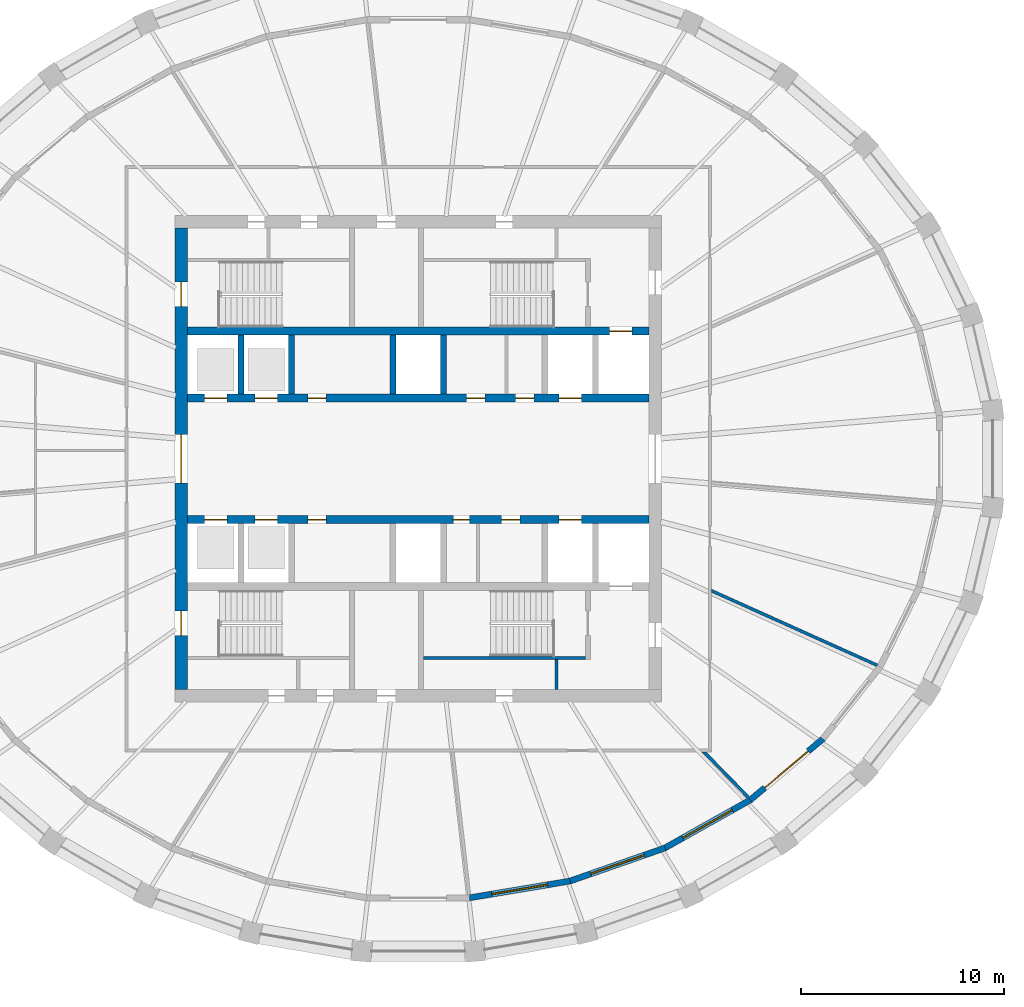
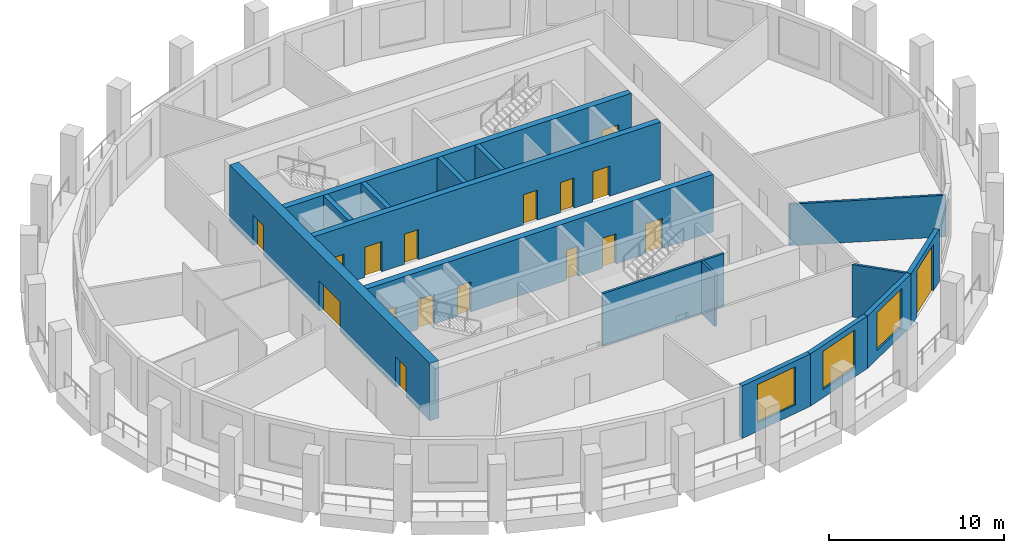
# One storey, part 4 of 10: 17 doors, 16 walls, 3 windows, 20 openings.
"""IFC4 building model written with IfcOpenShell, lengths in metres."""

from ifc_helpers import new_model, si_unit, direction, frame, frame_2d, origin, place, context, subcontext, project, spatial, polyline, rectangle, outline, extrude, material, layer, layer_set, type_object, element, fill, save


model = new_model("IFC4")

# Units and contexts
model_context = context("Model", 3, precision=1e-05, world=origin(), true_north=direction((0.0, 1.0)))
body_context = subcontext(model_context, "Body", "Model", "MODEL_VIEW")
ifc_project = project(units=[si_unit("LENGTHUNIT", "METRE"), si_unit("AREAUNIT", "SQUARE_METRE"), si_unit("VOLUMEUNIT", "CUBIC_METRE"), si_unit("PLANEANGLEUNIT", "RADIAN"), si_unit("MASSUNIT", "GRAM", prefix="KILO")], contexts=[model_context])

# Site, building, storey
site_placement = place(None, origin())
site = spatial("IfcSite", under=ifc_project, at=site_placement, CompositionType="ELEMENT")
building_placement = place(site_placement, origin())
building = spatial("IfcBuilding", under=site, at=building_placement, Name="Halqa Exchange Tower", CompositionType="ELEMENT")
storey_placement = place(building_placement, frame((0.0, 0.0, 324.300048828125)))
storey = spatial("IfcBuildingStorey", under=building, at=storey_placement, Name="L76", CompositionType="ELEMENT", Elevation=324.300048828125)

# Walls
ifc_material_1 = material(Name="Fire-rated gypsum board")
ifc_layer_1 = layer(ifc_material_1, 0.14990234375)
ifc_layer_set_1 = layer_set([ifc_layer_1], Name="Fire-rated gypsum board")
wall_type_1 = type_object("IfcWallType", Name="Fire partition EI 60 150", PredefinedType="PARTITIONING", material=ifc_layer_set_1)
wall_1_placement = place(storey_placement, frame((14.0625, -14.4228515625, 0.0), z_axis=(0.0, 0.0, 1.0), x_axis=(0.698596457998, -0.715515890021, 0.0)))
element("IfcWall", 1, at=wall_1_placement, inside=storey, type_object=wall_type_1, Name="L76-PWL-014", PredefinedType="PARTITIONING", context=body_context, shape_type="SweptSolid", body=[
    extrude(outline(polyline([(0.0, -0.074951171875), (1.594482421875, -0.074951171875), (3.18896484375, -0.074951171875), (3.18896484375, -0.07470703125), (3.18896484375, 0.074951171875), (1.66748046875, 0.074951171875), (0.14599609375, 0.074951171875), (0.0, -0.07470703125), (0.0, -0.074951171875)])), origin(), (0.0, 0.0, 1.0), 3.64990234375),
])
wall_2_placement = place(storey_placement, frame((14.444580078125, -6.5, 0.0), z_axis=(0.0, 0.0, 1.0), x_axis=(0.912043070278, -0.410094425662, 0.0)))
element("IfcWall", 2, at=wall_2_placement, inside=storey, type_object=wall_type_1, Name="L76-PWL-016", PredefinedType="PARTITIONING", context=body_context, shape_type="SweptSolid", body=[
    extrude(outline(polyline([(0.067138671875, -0.074951171875), (1.8525390625, -0.074951171875), (3.637939453125, -0.074951171875), (5.42333984375, -0.074951171875), (7.208740234375, -0.074951171875), (8.994140625, -0.074951171875), (9.013427734375, 0.000732421875), (9.015625, 0.066162109375), (9.015625, 0.074951171875), (7.21240234375, 0.074951171875), (5.409423828125, 0.074951171875), (3.606201171875, 0.074951171875), (1.80322265625, 0.074951171875), (0.0, 0.074951171875), (0.0, 0.07421875), (0.067138671875, -0.074951171875)])), origin(), (0.0, 0.0, 1.0), 2.89697265625),
])
ifc_material_2 = material(Name="Gypsum board")
ifc_layer_2 = layer(ifc_material_2, 0.14990234375)
ifc_layer_set_2 = layer_set([ifc_layer_2], Name="Gypsum board")
wall_type_2 = type_object("IfcWallType", Name="Penthouse riser wall 150 gypsum", PredefinedType="PARTITIONING", material=ifc_layer_set_2)
wall_3_placement = place(storey_placement, frame((6.824951171875, -11.39990234375, 0.0), z_axis=(0.0, 0.0, 1.0), x_axis=(0.0, 1.0, 0.0)))
element("IfcWall", 3, at=wall_3_placement, inside=storey, type_object=wall_type_2, Name="Firefighting lobby west wall S", PredefinedType="PARTITIONING", context=body_context, shape_type="SweptSolid", body=[
    extrude(rectangle(XDim=1.5, YDim=0.14990234375, at=frame_2d((0.75, 0.0))), origin(), (0.0, 0.0, 1.0), 3.64990234375),
])
ifc_material_3 = material(Name="Concrete C60/75", Category="concrete")
ifc_layer_3 = layer(ifc_material_3, 0.300048828125)
ifc_layer_set_3 = layer_set([ifc_layer_3], Name="Concrete C60/75")
wall_type_3 = type_object("IfcWallType", Name="RC core wall 300", PredefinedType="SHEAR", material=ifc_layer_set_3)
for number, where, z_axis, x_axis, name in (
    (4, (-8.75, 3.199951171875, 0.0), (0.0, 0.0, 1.0), (0.0, 1.0, 0.0), "Shaft divider N1"),
    (5, (-6.25, 3.199951171875, 0.0), (0.0, 0.0, 1.0), (0.0, 1.0, 0.0), "Shaft divider N2"),
    (6, (-1.25, 3.199951171875, 0.0), (0.0, 0.0, 1.0), (0.0, 1.0, 0.0), "Shaft divider N4"),
    (7, (1.25, 3.199951171875, 0.0), (0.0, 0.0, 1.0), (0.0, 1.0, 0.0), "Shaft divider N5"),
):
    element("IfcWall", number, at=place(storey_placement, frame(where, z_axis=z_axis, x_axis=x_axis)), inside=storey, type_object=wall_type_3, Name=name, PredefinedType="SHEAR", context=body_context, shape_type="SweptSolid", body=[
        extrude(rectangle(XDim=2.900146484375, YDim=0.300048828125, at=frame_2d((1.4501953125, 0.0))), origin(), (0.0, 0.0, 1.0), 4.0),
    ])

# Wall, openings, doors
ifc_layer_4 = layer(ifc_material_3, 0.39990234375)
ifc_layer_set_4 = layer_set([ifc_layer_4], Name="Concrete C60/75")
wall_type_4 = type_object("IfcWallType", Name="RC core wall 400 C60/75", PredefinedType="SHEAR", material=ifc_layer_set_4)
wall_4_placement = place(storey_placement, frame((-11.39990234375, 3.0, 0.0), z_axis=(0.0, 0.0, 1.0), x_axis=(1.0, 0.0, 0.0)))
wall_4 = element("IfcWall", 8, at=wall_4_placement, inside=storey, type_object=wall_type_4, Name="Lift row front wall N", PredefinedType="SHEAR", context=body_context, shape_type="SweptSolid", body=[
    extrude(rectangle(XDim=22.7998046875, YDim=0.39990234375, at=frame_2d((11.39990234375, 0.0))), origin(), (0.0, 0.0, 1.0), 4.0),
])
opening_1_placement = place(wall_4_placement, frame((0.85009765625, 0.0, 0.0)))
opening_1 = element("IfcOpeningElement", 9, at=opening_1_placement, cuts=wall_4, Name="Opening LD-HR1-T23", PredefinedType="OPENING", context=body_context, shape_type="SweptSolid", body=[
    extrude(rectangle(XDim=1.10009765625, YDim=2.10009765625, at=frame_2d((0.550048828125, 1.050048828125))), frame((0.0, 0.2119140625, 0.0), z_axis=(0.0, -1.0, 0.0), x_axis=(1.0, 0.0, 0.0)), (0.0, 0.0, 1.0), 0.423828125),
])
opening_2_placement = place(wall_4_placement, frame((3.35009765625, 0.0, 0.0)))
opening_2 = element("IfcOpeningElement", 10, at=opening_2_placement, cuts=wall_4, Name="Opening LD-HR2-T23", PredefinedType="OPENING", context=body_context, shape_type="SweptSolid", body=[
    extrude(rectangle(XDim=1.10009765625, YDim=2.10009765625, at=frame_2d((0.550048828125, 1.050048828125))), frame((0.0, 0.2119140625, 0.0), z_axis=(0.0, -1.0, 0.0), x_axis=(1.0, 0.0, 0.0)), (0.0, 0.0, 1.0), 0.423828125),
])
opening_3_placement = place(wall_4_placement, frame((18.35009765625, 0.0, 0.0)))
opening_3 = element("IfcOpeningElement", 11, at=opening_3_placement, cuts=wall_4, Name="Opening LD-SV1-T23", PredefinedType="OPENING", context=body_context, shape_type="SweptSolid", body=[
    extrude(rectangle(XDim=1.10009765625, YDim=2.10009765625, at=frame_2d((0.550048828125, 1.050048828125))), frame((0.0, 0.2119140625, 0.0), z_axis=(0.0, -1.0, 0.0), x_axis=(1.0, 0.0, 0.0)), (0.0, 0.0, 1.0), 0.423828125),
])
opening_4_placement = place(wall_4_placement, frame((13.78759765625, 0.0, 0.0)))
opening_4 = element("IfcOpeningElement", 12, at=opening_4_placement, cuts=wall_4, Name="Opening T23-C25", PredefinedType="OPENING", context=body_context, shape_type="SweptSolid", body=[
    extrude(rectangle(XDim=0.89990234375, YDim=2.10009765625, at=frame_2d((0.449951171875, 1.050048828125))), frame((0.0, 0.2119140625, 0.0), z_axis=(0.0, -1.0, 0.0), x_axis=(1.0, 0.0, 0.0)), (0.0, 0.0, 1.0), 0.423828125),
])
opening_5_placement = place(wall_4_placement, frame((16.21240234375, 0.0, 0.0)))
opening_5 = element("IfcOpeningElement", 13, at=opening_5_placement, cuts=wall_4, Name="Opening T23-C26", PredefinedType="OPENING", context=body_context, shape_type="SweptSolid", body=[
    extrude(rectangle(XDim=0.89990234375, YDim=2.10009765625, at=frame_2d((0.449951171875, 1.050048828125))), frame((0.0, 0.2119140625, 0.0), z_axis=(0.0, -1.0, 0.0), x_axis=(1.0, 0.0, 0.0)), (0.0, 0.0, 1.0), 0.423828125),
])
opening_6_placement = place(wall_4_placement, frame((5.949951171875, 0.0, 0.0)))
opening_6 = element("IfcOpeningElement", 14, at=opening_6_placement, cuts=wall_4, Name="Opening T23-C27", PredefinedType="OPENING", context=body_context, shape_type="SweptSolid", body=[
    extrude(rectangle(XDim=0.89990234375, YDim=2.10009765625, at=frame_2d((0.449951171875, 1.050048828125))), frame((0.0, 0.2119140625, 0.0), z_axis=(0.0, -1.0, 0.0), x_axis=(1.0, 0.0, 0.0)), (0.0, 0.0, 1.0), 0.423828125),
])
ifc_material_4 = material(Name="Timber fire door leaf", Category="wood")
door_type_1 = type_object("IfcDoorType", Name="Core room door FD30 900 x 2100", OperationType="SINGLE_SWING_LEFT", PredefinedType="DOOR", material=ifc_material_4)
door_1_placement = place(opening_4_placement, origin())
door_1 = element("IfcDoor", 15, at=door_1_placement, inside=storey, type_object=door_type_1, Name="Core room door", OperationType="SINGLE_SWING_RIGHT", OverallHeight=2.10009765625, OverallWidth=0.89990234375, PredefinedType="DOOR", context=body_context, shape_type="SweptSolid", body=[
    extrude(rectangle(XDim=0.89990234375, YDim=2.10009765625, at=frame_2d((0.449951171875, 1.050048828125))), frame((0.0, 0.02490234375, 0.0), z_axis=(0.0, -1.0, 0.0), x_axis=(1.0, 0.0, 0.0)), (0.0, 0.0, 1.0), 0.050048828125),
])
fill(opening_4, door_1)
door_2_placement = place(opening_5_placement, origin())
door_2 = element("IfcDoor", 16, at=door_2_placement, inside=storey, type_object=door_type_1, Name="Core room door", OperationType="SINGLE_SWING_RIGHT", OverallHeight=2.10009765625, OverallWidth=0.89990234375, PredefinedType="DOOR", context=body_context, shape_type="SweptSolid", body=[
    extrude(rectangle(XDim=0.89990234375, YDim=2.10009765625, at=frame_2d((0.449951171875, 1.050048828125))), frame((0.0, 0.02490234375, 0.0), z_axis=(0.0, -1.0, 0.0), x_axis=(1.0, 0.0, 0.0)), (0.0, 0.0, 1.0), 0.050048828125),
])
fill(opening_5, door_2)
door_3_placement = place(opening_6_placement, origin())
door_3 = element("IfcDoor", 17, at=door_3_placement, inside=storey, type_object=door_type_1, Name="Core room door", OperationType="SINGLE_SWING_RIGHT", OverallHeight=2.10009765625, OverallWidth=0.89990234375, PredefinedType="DOOR", context=body_context, shape_type="SweptSolid", body=[
    extrude(rectangle(XDim=0.89990234375, YDim=2.10009765625, at=frame_2d((0.449951171875, 1.050048828125))), frame((0.0, 0.02490234375, 0.0), z_axis=(0.0, -1.0, 0.0), x_axis=(1.0, 0.0, 0.0)), (0.0, 0.0, 1.0), 0.050048828125),
])
fill(opening_6, door_3)
ifc_material_5 = material(Name="Stainless steel", Category="steel")
door_type_2 = type_object("IfcDoorType", Name="Lift landing door 1100 x 2100", OperationType="SLIDING_TO_LEFT", PredefinedType="DOOR", material=ifc_material_5)
door_4_placement = place(opening_1_placement, origin())
door_4 = element("IfcDoor", 18, at=door_4_placement, inside=storey, type_object=door_type_2, Name="Lift landing door HR1", OperationType="SLIDING_TO_LEFT", OverallHeight=2.10009765625, OverallWidth=1.10009765625, PredefinedType="DOOR", context=body_context, shape_type="SweptSolid", body=[
    extrude(rectangle(XDim=1.10009765625, YDim=2.10009765625, at=frame_2d((0.550048828125, 1.050048828125))), frame((0.0, 0.02490234375, 0.0), z_axis=(0.0, -1.0, 0.0), x_axis=(1.0, 0.0, 0.0)), (0.0, 0.0, 1.0), 0.050048828125),
])
fill(opening_1, door_4)
door_5_placement = place(opening_2_placement, origin())
door_5 = element("IfcDoor", 19, at=door_5_placement, inside=storey, type_object=door_type_2, Name="Lift landing door HR2", OperationType="SLIDING_TO_LEFT", OverallHeight=2.10009765625, OverallWidth=1.10009765625, PredefinedType="DOOR", context=body_context, shape_type="SweptSolid", body=[
    extrude(rectangle(XDim=1.10009765625, YDim=2.10009765625, at=frame_2d((0.550048828125, 1.050048828125))), frame((0.0, 0.02490234375, 0.0), z_axis=(0.0, -1.0, 0.0), x_axis=(1.0, 0.0, 0.0)), (0.0, 0.0, 1.0), 0.050048828125),
])
fill(opening_2, door_5)
door_6_placement = place(opening_3_placement, origin())
door_6 = element("IfcDoor", 20, at=door_6_placement, inside=storey, type_object=door_type_2, Name="Lift landing door SV1", OperationType="SLIDING_TO_LEFT", OverallHeight=2.10009765625, OverallWidth=1.10009765625, PredefinedType="DOOR", context=body_context, shape_type="SweptSolid", body=[
    extrude(rectangle(XDim=1.10009765625, YDim=2.10009765625, at=frame_2d((0.550048828125, 1.050048828125))), frame((0.0, 0.02490234375, 0.0), z_axis=(0.0, -1.0, 0.0), x_axis=(1.0, 0.0, 0.0)), (0.0, 0.0, 1.0), 0.050048828125),
])
fill(opening_3, door_6)

# Wall, opening, door
wall_5_placement = place(storey_placement, frame((-11.39990234375, 6.300048828125, 0.0), z_axis=(0.0, 0.0, 1.0), x_axis=(1.0, 0.0, 0.0)))
wall_5 = element("IfcWall", 21, at=wall_5_placement, inside=storey, type_object=wall_type_4, Name="Lift row back wall N", PredefinedType="SHEAR", context=body_context, shape_type="SweptSolid", body=[
    extrude(rectangle(XDim=22.7998046875, YDim=0.39990234375, at=frame_2d((11.39990234375, 0.0))), origin(), (0.0, 0.0, 1.0), 4.0),
])
opening_7_placement = place(wall_5_placement, frame((20.85009765625, 0.0, 0.0)))
opening_7 = element("IfcOpeningElement", 22, at=opening_7_placement, cuts=wall_5, Name="Opening LD-FF1-T23", PredefinedType="OPENING", context=body_context, shape_type="SweptSolid", body=[
    extrude(rectangle(XDim=1.10009765625, YDim=2.10009765625, at=frame_2d((0.550048828125, 1.050048828125))), frame((0.0, 0.2119140625, 0.0), z_axis=(0.0, -1.0, 0.0), x_axis=(1.0, 0.0, 0.0)), (0.0, 0.0, 1.0), 0.423828125),
])
door_7_placement = place(opening_7_placement, origin())
door_7 = element("IfcDoor", 23, at=door_7_placement, inside=storey, type_object=door_type_2, Name="Lift landing door FF1", OperationType="SLIDING_TO_LEFT", OverallHeight=2.10009765625, OverallWidth=1.10009765625, PredefinedType="DOOR", context=body_context, shape_type="SweptSolid", body=[
    extrude(rectangle(XDim=1.10009765625, YDim=2.10009765625, at=frame_2d((0.550048828125, 1.050048828125))), frame((0.0, 0.02490234375, 0.0), z_axis=(0.0, -1.0, 0.0), x_axis=(1.0, 0.0, 0.0)), (0.0, 0.0, 1.0), 0.050048828125),
])
fill(opening_7, door_7)

# Wall, openings, doors
wall_6_placement = place(storey_placement, frame((-11.39990234375, -3.0, 0.0), z_axis=(0.0, 0.0, 1.0), x_axis=(1.0, 0.0, 0.0)))
wall_6 = element("IfcWall", 24, at=wall_6_placement, inside=storey, type_object=wall_type_4, Name="Lift row front wall S", PredefinedType="SHEAR", context=body_context, shape_type="SweptSolid", body=[
    extrude(rectangle(XDim=22.7998046875, YDim=0.39990234375, at=frame_2d((11.39990234375, 0.0))), origin(), (0.0, 0.0, 1.0), 4.0),
])
opening_8_placement = place(wall_6_placement, frame((0.85009765625, 0.0, 0.0)))
opening_8 = element("IfcOpeningElement", 25, at=opening_8_placement, cuts=wall_6, Name="Opening LD-HR3-T23", PredefinedType="OPENING", context=body_context, shape_type="SweptSolid", body=[
    extrude(rectangle(XDim=1.10009765625, YDim=2.10009765625, at=frame_2d((0.550048828125, 1.050048828125))), frame((0.0, 0.2119140625, 0.0), z_axis=(0.0, -1.0, 0.0), x_axis=(1.0, 0.0, 0.0)), (0.0, 0.0, 1.0), 0.423828125),
])
opening_9_placement = place(wall_6_placement, frame((3.35009765625, 0.0, 0.0)))
opening_9 = element("IfcOpeningElement", 26, at=opening_9_placement, cuts=wall_6, Name="Opening LD-HR4-T23", PredefinedType="OPENING", context=body_context, shape_type="SweptSolid", body=[
    extrude(rectangle(XDim=1.10009765625, YDim=2.10009765625, at=frame_2d((0.550048828125, 1.050048828125))), frame((0.0, 0.2119140625, 0.0), z_axis=(0.0, -1.0, 0.0), x_axis=(1.0, 0.0, 0.0)), (0.0, 0.0, 1.0), 0.423828125),
])
opening_10_placement = place(wall_6_placement, frame((18.35009765625, 0.0, 0.0)))
opening_10 = element("IfcOpeningElement", 27, at=opening_10_placement, cuts=wall_6, Name="Opening LD-SV2-T23", PredefinedType="OPENING", context=body_context, shape_type="SweptSolid", body=[
    extrude(rectangle(XDim=1.10009765625, YDim=2.10009765625, at=frame_2d((0.550048828125, 1.050048828125))), frame((0.0, 0.2119140625, 0.0), z_axis=(0.0, -1.0, 0.0), x_axis=(1.0, 0.0, 0.0)), (0.0, 0.0, 1.0), 0.423828125),
])
opening_11_placement = place(wall_6_placement, frame((13.137451171875, 0.0, 0.0)))
opening_11 = element("IfcOpeningElement", 28, at=opening_11_placement, cuts=wall_6, Name="Opening T23-C28", PredefinedType="OPENING", context=body_context, shape_type="SweptSolid", body=[
    extrude(rectangle(XDim=0.800048828125, YDim=2.10009765625, at=frame_2d((0.39990234375, 1.050048828125))), frame((0.0, 0.2119140625, 0.0), z_axis=(0.0, -1.0, 0.0), x_axis=(1.0, 0.0, 0.0)), (0.0, 0.0, 1.0), 0.423828125),
])
opening_12_placement = place(wall_6_placement, frame((15.512451171875, 0.0, 0.0)))
opening_12 = element("IfcOpeningElement", 29, at=opening_12_placement, cuts=wall_6, Name="Opening T23-C29", PredefinedType="OPENING", context=body_context, shape_type="SweptSolid", body=[
    extrude(rectangle(XDim=0.89990234375, YDim=2.10009765625, at=frame_2d((0.449951171875, 1.050048828125))), frame((0.0, 0.2119140625, 0.0), z_axis=(0.0, -1.0, 0.0), x_axis=(1.0, 0.0, 0.0)), (0.0, 0.0, 1.0), 0.423828125),
])
opening_13_placement = place(wall_6_placement, frame((5.949951171875, 0.0, 0.0)))
opening_13 = element("IfcOpeningElement", 30, at=opening_13_placement, cuts=wall_6, Name="Opening T23-C30", PredefinedType="OPENING", context=body_context, shape_type="SweptSolid", body=[
    extrude(rectangle(XDim=0.89990234375, YDim=2.10009765625, at=frame_2d((0.449951171875, 1.050048828125))), frame((0.0, 0.2119140625, 0.0), z_axis=(0.0, -1.0, 0.0), x_axis=(1.0, 0.0, 0.0)), (0.0, 0.0, 1.0), 0.423828125),
])
door_8_placement = place(opening_12_placement, frame((0.89990234375, 0.0, 0.0), z_axis=(0.0, 0.0, 1.0), x_axis=(-1.0, 0.0, 0.0)))
door_8 = element("IfcDoor", 31, at=door_8_placement, inside=storey, type_object=door_type_1, Name="Core room door", OperationType="SINGLE_SWING_RIGHT", OverallHeight=2.10009765625, OverallWidth=0.89990234375, PredefinedType="DOOR", context=body_context, shape_type="SweptSolid", body=[
    extrude(rectangle(XDim=0.89990234375, YDim=2.10009765625, at=frame_2d((0.449951171875, 1.050048828125))), frame((0.0, 0.02490234375, 0.0), z_axis=(0.0, -1.0, 0.0), x_axis=(1.0, 0.0, 0.0)), (0.0, 0.0, 1.0), 0.050048828125),
])
fill(opening_12, door_8)
door_9_placement = place(opening_13_placement, frame((0.89990234375, 0.0, 0.0), z_axis=(0.0, 0.0, 1.0), x_axis=(-1.0, 0.0, 0.0)))
door_9 = element("IfcDoor", 32, at=door_9_placement, inside=storey, type_object=door_type_1, Name="Core room door", OperationType="SINGLE_SWING_LEFT", OverallHeight=2.10009765625, OverallWidth=0.89990234375, PredefinedType="DOOR", context=body_context, shape_type="SweptSolid", body=[
    extrude(rectangle(XDim=0.89990234375, YDim=2.10009765625, at=frame_2d((0.449951171875, 1.050048828125))), frame((0.0, 0.02490234375, 0.0), z_axis=(0.0, -1.0, 0.0), x_axis=(1.0, 0.0, 0.0)), (0.0, 0.0, 1.0), 0.050048828125),
])
fill(opening_13, door_9)
door_10_placement = place(opening_8_placement, origin())
door_10 = element("IfcDoor", 33, at=door_10_placement, inside=storey, type_object=door_type_2, Name="Lift landing door HR3", OperationType="SLIDING_TO_LEFT", OverallHeight=2.10009765625, OverallWidth=1.10009765625, PredefinedType="DOOR", context=body_context, shape_type="SweptSolid", body=[
    extrude(rectangle(XDim=1.10009765625, YDim=2.10009765625, at=frame_2d((0.550048828125, 1.050048828125))), frame((0.0, 0.02490234375, 0.0), z_axis=(0.0, -1.0, 0.0), x_axis=(1.0, 0.0, 0.0)), (0.0, 0.0, 1.0), 0.050048828125),
])
fill(opening_8, door_10)
door_11_placement = place(opening_9_placement, origin())
door_11 = element("IfcDoor", 34, at=door_11_placement, inside=storey, type_object=door_type_2, Name="Lift landing door HR4", OperationType="SLIDING_TO_LEFT", OverallHeight=2.10009765625, OverallWidth=1.10009765625, PredefinedType="DOOR", context=body_context, shape_type="SweptSolid", body=[
    extrude(rectangle(XDim=1.10009765625, YDim=2.10009765625, at=frame_2d((0.550048828125, 1.050048828125))), frame((0.0, 0.02490234375, 0.0), z_axis=(0.0, -1.0, 0.0), x_axis=(1.0, 0.0, 0.0)), (0.0, 0.0, 1.0), 0.050048828125),
])
fill(opening_9, door_11)
door_12_placement = place(opening_10_placement, origin())
door_12 = element("IfcDoor", 35, at=door_12_placement, inside=storey, type_object=door_type_2, Name="Lift landing door SV2", OperationType="SLIDING_TO_LEFT", OverallHeight=2.10009765625, OverallWidth=1.10009765625, PredefinedType="DOOR", context=body_context, shape_type="SweptSolid", body=[
    extrude(rectangle(XDim=1.10009765625, YDim=2.10009765625, at=frame_2d((0.550048828125, 1.050048828125))), frame((0.0, 0.02490234375, 0.0), z_axis=(0.0, -1.0, 0.0), x_axis=(1.0, 0.0, 0.0)), (0.0, 0.0, 1.0), 0.050048828125),
])
fill(opening_10, door_12)
ifc_material_6 = material(Name="Steel fire door leaf", Category="steel")
door_type_3 = type_object("IfcDoorType", Name="Riser door FD60 800 x 2100", OperationType="SINGLE_SWING_LEFT", PredefinedType="DOOR", material=ifc_material_6)
door_13_placement = place(opening_11_placement, frame((0.800048828125, 0.0, 0.0), z_axis=(0.0, 0.0, 1.0), x_axis=(-1.0, 0.0, 0.0)))
door_13 = element("IfcDoor", 36, at=door_13_placement, inside=storey, type_object=door_type_3, Name="Core room door", OperationType="SINGLE_SWING_RIGHT", OverallHeight=2.10009765625, OverallWidth=0.800048828125, PredefinedType="DOOR", context=body_context, shape_type="SweptSolid", body=[
    extrude(rectangle(XDim=0.800048828125, YDim=2.10009765625, at=frame_2d((0.39990234375, 1.050048828125))), frame((0.0, 0.02490234375, 0.0), z_axis=(0.0, -1.0, 0.0), x_axis=(1.0, 0.0, 0.0)), (0.0, 0.0, 1.0), 0.050048828125),
])
fill(opening_11, door_13)

ifc_layer_5 = layer(ifc_material_3, 0.60009765625)
ifc_layer_set_5 = layer_set([ifc_layer_5], Name="Concrete C60/75")
wall_type_5 = type_object("IfcWallType", Name="RC core wall 600 C60/75", PredefinedType="SHEAR", material=ifc_layer_set_5)
wall_7_placement = place(storey_placement, frame((-11.699951171875, -11.39990234375, 0.0), z_axis=(0.0, 0.0, 1.0), x_axis=(0.0, 1.0, 0.0)))
wall_7 = element("IfcWall", 37, at=wall_7_placement, inside=storey, type_object=wall_type_5, Name="Core wall west", PredefinedType="SHEAR", context=body_context, shape_type="SweptSolid", body=[
    extrude(rectangle(XDim=22.7998046875, YDim=0.60009765625, at=frame_2d((11.39990234375, 0.0))), origin(), (0.0, 0.0, 1.0), 4.0),
])
opening_14_placement = place(wall_7_placement, frame((10.199951171875, 0.0, 0.0)))
opening_14 = element("IfcOpeningElement", 38, at=opening_14_placement, cuts=wall_7, Name="Opening T23-C09", PredefinedType="OPENING", context=body_context, shape_type="SweptSolid", body=[
    extrude(rectangle(XDim=2.39990234375, YDim=2.10009765625, at=frame_2d((1.199951171875, 1.050048828125))), frame((0.0, 0.31201171875, 0.0), z_axis=(0.0, -1.0, 0.0), x_axis=(1.0, 0.0, 0.0)), (0.0, 0.0, 1.0), 0.6240234375),
])
opening_15_placement = place(wall_7_placement, frame((18.925048828125, 0.0, 0.0)))
opening_15 = element("IfcOpeningElement", 39, at=opening_15_placement, cuts=wall_7, Name="Opening T23-C11", PredefinedType="OPENING", context=body_context, shape_type="SweptSolid", body=[
    extrude(rectangle(XDim=1.199951171875, YDim=2.10009765625, at=frame_2d((0.60009765625, 1.050048828125))), frame((0.0, 0.31201171875, 0.0), z_axis=(0.0, -1.0, 0.0), x_axis=(1.0, 0.0, 0.0)), (0.0, 0.0, 1.0), 0.6240234375),
])
opening_16_placement = place(wall_7_placement, frame((2.675048828125, 0.0, 0.0)))
opening_16 = element("IfcOpeningElement", 40, at=opening_16_placement, cuts=wall_7, Name="Opening T23-C13", PredefinedType="OPENING", context=body_context, shape_type="SweptSolid", body=[
    extrude(rectangle(XDim=1.199951171875, YDim=2.10009765625, at=frame_2d((0.60009765625, 1.050048828125))), frame((0.0, 0.31201171875, 0.0), z_axis=(0.0, -1.0, 0.0), x_axis=(1.0, 0.0, 0.0)), (0.0, 0.0, 1.0), 0.6240234375),
])
door_type_4 = type_object("IfcDoorType", Name="Lobby double door FD60 2400 x 2100", OperationType="DOUBLE_DOOR_SINGLE_SWING", PredefinedType="DOOR", material=ifc_material_6)
door_14_placement = place(opening_14_placement, frame((2.39990234375, 0.0, 0.0), z_axis=(0.0, 0.0, 1.0), x_axis=(-1.0, 0.0, 0.0)))
door_14 = element("IfcDoor", 41, at=door_14_placement, inside=storey, type_object=door_type_4, Name="Lift lobby double door", OperationType="DOUBLE_DOOR_SINGLE_SWING", OverallHeight=2.10009765625, OverallWidth=2.39990234375, PredefinedType="DOOR", context=body_context, shape_type="SweptSolid", body=[
    extrude(rectangle(XDim=2.39990234375, YDim=2.10009765625, at=frame_2d((1.199951171875, 1.050048828125))), frame((0.0, 0.02490234375, 0.0), z_axis=(0.0, -1.0, 0.0), x_axis=(1.0, 0.0, 0.0)), (0.0, 0.0, 1.0), 0.050048828125),
])
fill(opening_14, door_14)
door_type_5 = type_object("IfcDoorType", Name="Stair door FD90 1200 x 2100", OperationType="SINGLE_SWING_LEFT", PredefinedType="DOOR", material=ifc_material_6)
door_15_placement = place(opening_15_placement, frame((1.199951171875, 0.0, 0.0), z_axis=(0.0, 0.0, 1.0), x_axis=(-1.0, 0.0, 0.0)))
door_15 = element("IfcDoor", 42, at=door_15_placement, inside=storey, type_object=door_type_5, Name="Stair door ST1", OperationType="SINGLE_SWING_LEFT", OverallHeight=2.10009765625, OverallWidth=1.199951171875, PredefinedType="DOOR", context=body_context, shape_type="SweptSolid", body=[
    extrude(rectangle(XDim=1.199951171875, YDim=2.10009765625, at=frame_2d((0.60009765625, 1.050048828125))), frame((0.0, 0.02490234375, 0.0), z_axis=(0.0, -1.0, 0.0), x_axis=(1.0, 0.0, 0.0)), (0.0, 0.0, 1.0), 0.050048828125),
])
fill(opening_15, door_15)
door_16_placement = place(opening_16_placement, frame((1.199951171875, 0.0, 0.0), z_axis=(0.0, 0.0, 1.0), x_axis=(-1.0, 0.0, 0.0)))
door_16 = element("IfcDoor", 43, at=door_16_placement, inside=storey, type_object=door_type_5, Name="Stair door ST3", OperationType="SINGLE_SWING_LEFT", OverallHeight=2.10009765625, OverallWidth=1.199951171875, PredefinedType="DOOR", context=body_context, shape_type="SweptSolid", body=[
    extrude(rectangle(XDim=1.199951171875, YDim=2.10009765625, at=frame_2d((0.60009765625, 1.050048828125))), frame((0.0, 0.02490234375, 0.0), z_axis=(0.0, -1.0, 0.0), x_axis=(1.0, 0.0, 0.0)), (0.0, 0.0, 1.0), 0.050048828125),
])
fill(opening_16, door_16)

# Wall
ifc_material_7 = material(Name="Concrete C30/37", Category="concrete")
ifc_layer_6 = layer(ifc_material_7, 0.14990234375)
ifc_layer_set_6 = layer_set([ifc_layer_6], Name="Concrete C30/37")
wall_type_6 = type_object("IfcWallType", Name="RC stair wall 150 C30/37", PredefinedType="SHEAR", material=ifc_layer_set_6)
wall_8_placement = place(storey_placement, frame((0.25, -9.824951171875, 0.0), z_axis=(0.0, 0.0, 1.0), x_axis=(1.0, 0.0, 0.0)))
element("IfcWall", 44, at=wall_8_placement, inside=storey, type_object=wall_type_6, Name="Stair ST2 north wall S", PredefinedType="SHEAR", context=body_context, shape_type="SweptSolid", body=[
    extrude(rectangle(XDim=8.0, YDim=0.14990234375, at=frame_2d((4.0, 0.0))), origin(), (0.0, 0.0, 1.0), 3.64990234375),
])

# Wall, opening, window
ifc_material_8 = material(Name="Limestone cladding", Category="masonry")
ifc_layer_7 = layer(ifc_material_8, 0.0400390625)
ifc_material_9 = material(Name="Ventilated cavity")
ifc_layer_8 = layer(ifc_material_9, 0.030029296875, ventilated=True)
ifc_material_10 = material(Name="Mineral wool insulation")
ifc_layer_9 = layer(ifc_material_10, 0.10009765625)
ifc_layer_10 = layer(ifc_material_7, 0.10009765625)
ifc_material_11 = material(Name="Internal plaster")
ifc_layer_11 = layer(ifc_material_11, 0.030029296875)
ifc_layer_set_7 = layer_set([ifc_layer_7, ifc_layer_8, ifc_layer_9, ifc_layer_10, ifc_layer_11], Name="Stone-faced insulated wall 300")
wall_type_7 = type_object("IfcWallType", Name="Stone-faced insulated wall 300", PredefinedType="STANDARD", material=ifc_layer_set_7)
wall_9_placement = place(storey_placement, frame((2.531494140625, -21.674560546875, 0.0), z_axis=(0.0, 0.0, 1.0), x_axis=(0.986269147983, 0.165145898335, 0.0)))
wall_9 = element("IfcWall", 45, at=wall_9_placement, inside=storey, type_object=wall_type_7, Name="Glass-line wall 25", PredefinedType="STANDARD", context=body_context, shape_type="SweptSolid", body=[
    extrude(outline(polyline([(-0.012451171875, -0.14990234375), (5.0478515625, -0.14990234375), (5.0224609375, 0.14990234375), (0.012451171875, 0.14990234375), (-0.012451171875, -0.14990234375)])), origin(), (0.0, 0.0, 1.0), 3.64990234375),
])
opening_17_placement = place(wall_9_placement, frame((1.11767578125, 0.0, 0.60009765625)))
opening_17 = element("IfcOpeningElement", 46, at=opening_17_placement, cuts=wall_9, Name="Opening W-F4-25", PredefinedType="OPENING", context=body_context, shape_type="SweptSolid", body=[
    extrude(rectangle(XDim=2.800048828125, YDim=2.64990234375, at=frame_2d((1.39990234375, 1.324951171875))), frame((0.0, 0.162109375, 0.0), z_axis=(0.0, -1.0, 0.0), x_axis=(1.0, 0.0, 0.0)), (0.0, 0.0, 1.0), 0.323974609375),
])
ifc_material_12 = material(Name="Clear low-emissivity glass in aluminium frame", Category="aluminium")
window_type = type_object("IfcWindowType", Name="Fixed clear glazed window 2800 x 2650", PartitioningType="DOUBLE_PANEL_VERTICAL", PredefinedType="WINDOW", material=ifc_material_12)
window_1_placement = place(opening_17_placement, origin())
window_1 = element("IfcWindow", 47, at=window_1_placement, inside=storey, type_object=window_type, Name="Window 4", OverallHeight=2.64990234375, OverallWidth=2.800048828125, PartitioningType="DOUBLE_PANEL_VERTICAL", PredefinedType="WINDOW", context=body_context, shape_type="SweptSolid", body=[
    extrude(rectangle(XDim=2.800048828125, YDim=2.64990234375, at=frame_2d((1.39990234375, 1.324951171875))), frame((0.0, 0.030029296875, 0.0), z_axis=(0.0, -1.0, 0.0), x_axis=(1.0, 0.0, 0.0)), (0.0, 0.0, 1.0), 0.06005859375),
])
fill(opening_17, window_1)

wall_10_placement = place(storey_placement, frame((7.49755859375, -20.843017578125, 0.0), z_axis=(0.0, 0.0, 1.0), x_axis=(0.944273917508, 0.329160703479, 0.0)))
wall_10 = element("IfcWall", 48, at=wall_10_placement, inside=storey, type_object=wall_type_7, Name="Glass-line wall 26", PredefinedType="STANDARD", context=body_context, shape_type="SweptSolid", body=[
    extrude(outline(polyline([(-0.0126953125, -0.14990234375), (4.968505859375, -0.14990234375), (4.942138671875, 0.14990234375), (0.0126953125, 0.14990234375), (-0.0126953125, -0.14990234375)])), origin(), (0.0, 0.0, 1.0), 3.64990234375),
])
opening_18_placement = place(wall_10_placement, frame((1.07763671875, 0.0, 0.60009765625)))
opening_18 = element("IfcOpeningElement", 49, at=opening_18_placement, cuts=wall_10, Name="Opening W-F4-26", PredefinedType="OPENING", context=body_context, shape_type="SweptSolid", body=[
    extrude(rectangle(XDim=2.800048828125, YDim=2.64990234375, at=frame_2d((1.39990234375, 1.324951171875))), frame((0.0, 0.162109375, 0.0), z_axis=(0.0, -1.0, 0.0), x_axis=(1.0, 0.0, 0.0)), (0.0, 0.0, 1.0), 0.323974609375),
])
window_2_placement = place(opening_18_placement, origin())
window_2 = element("IfcWindow", 50, at=window_2_placement, inside=storey, type_object=window_type, Name="Window 4", OverallHeight=2.64990234375, OverallWidth=2.800048828125, PartitioningType="DOUBLE_PANEL_VERTICAL", PredefinedType="WINDOW", context=body_context, shape_type="SweptSolid", body=[
    extrude(rectangle(XDim=2.800048828125, YDim=2.64990234375, at=frame_2d((1.39990234375, 1.324951171875))), frame((0.0, 0.030029296875, 0.0), z_axis=(0.0, -1.0, 0.0), x_axis=(1.0, 0.0, 0.0)), (0.0, 0.0, 1.0), 0.06005859375),
])
fill(opening_18, window_2)

wall_11_placement = place(storey_placement, frame((12.1767578125, -19.2119140625, 0.0), z_axis=(0.0, 0.0, 1.0), x_axis=(0.871651071333, 0.49012693238, 0.0)))
wall_11 = element("IfcWall", 51, at=wall_11_placement, inside=storey, type_object=wall_type_7, Name="Glass-line wall 27", PredefinedType="STANDARD", context=body_context, shape_type="SweptSolid", body=[
    extrude(outline(polyline([(-0.01318359375, -0.14990234375), (4.847412109375, -0.14990234375), (4.819091796875, 0.14990234375), (0.01318359375, 0.14990234375), (-0.01318359375, -0.14990234375)])), origin(), (0.0, 0.0, 1.0), 3.64990234375),
])
opening_19_placement = place(wall_11_placement, frame((1.0166015625, 0.0, 0.60009765625)))
opening_19 = element("IfcOpeningElement", 52, at=opening_19_placement, cuts=wall_11, Name="Opening W-F4-27", PredefinedType="OPENING", context=body_context, shape_type="SweptSolid", body=[
    extrude(rectangle(XDim=2.800048828125, YDim=2.64990234375, at=frame_2d((1.39990234375, 1.324951171875))), frame((0.0, 0.162109375, 0.0), z_axis=(0.0, -1.0, 0.0), x_axis=(1.0, 0.0, 0.0)), (0.0, 0.0, 1.0), 0.323974609375),
])
window_3_placement = place(opening_19_placement, origin())
window_3 = element("IfcWindow", 53, at=window_3_placement, inside=storey, type_object=window_type, Name="Window 4", OverallHeight=2.64990234375, OverallWidth=2.800048828125, PartitioningType="DOUBLE_PANEL_VERTICAL", PredefinedType="WINDOW", context=body_context, shape_type="SweptSolid", body=[
    extrude(rectangle(XDim=2.800048828125, YDim=2.64990234375, at=frame_2d((1.39990234375, 1.324951171875))), frame((0.0, 0.030029296875, 0.0), z_axis=(0.0, -1.0, 0.0), x_axis=(1.0, 0.0, 0.0)), (0.0, 0.0, 1.0), 0.06005859375),
])
fill(opening_19, window_3)

# Wall, opening, door
wall_12_placement = place(storey_placement, frame((16.3896484375, -16.843017578125, 0.0), z_axis=(0.0, 0.0, 1.0), x_axis=(0.765128700347, 0.643877373344, 0.0)))
wall_12 = element("IfcWall", 54, at=wall_12_placement, inside=storey, type_object=wall_type_7, Name="Glass-line wall 28", PredefinedType="STANDARD", context=body_context, shape_type="SweptSolid", body=[
    extrude(outline(polyline([(-0.01416015625, -0.14990234375), (4.70068359375, -0.14990234375), (4.67041015625, 0.14990234375), (0.01416015625, 0.14990234375), (-0.01416015625, -0.14990234375)])), origin(), (0.0, 0.0, 1.0), 3.64990234375),
])
opening_20_placement = place(wall_12_placement, frame((0.942626953125, 0.0, 0.0)))
opening_20 = element("IfcOpeningElement", 55, at=opening_20_placement, cuts=wall_12, Name="Opening LG-F4-07", PredefinedType="OPENING", context=body_context, shape_type="SweptSolid", body=[
    extrude(rectangle(XDim=2.800048828125, YDim=3.25, at=frame_2d((1.39990234375, 1.625))), frame((0.0, 0.162109375, 0.0), z_axis=(0.0, -1.0, 0.0), x_axis=(1.0, 0.0, 0.0)), (0.0, 0.0, 1.0), 0.323974609375),
])
door_type_6 = type_object("IfcDoorType", Name="Glazed sliding loggia door 2800 x 3250", OperationType="DOUBLE_DOOR_SLIDING", PredefinedType="DOOR", material=ifc_material_12)
door_17_placement = place(opening_20_placement, origin())
door_17 = element("IfcDoor", 56, at=door_17_placement, inside=storey, type_object=door_type_6, Name="Loggia door 7", OperationType="DOUBLE_DOOR_SLIDING", OverallHeight=3.25, OverallWidth=2.800048828125, PredefinedType="DOOR", context=body_context, shape_type="SweptSolid", body=[
    extrude(rectangle(XDim=2.800048828125, YDim=3.25, at=frame_2d((1.39990234375, 1.625))), frame((0.0, 0.02490234375, 0.0), z_axis=(0.0, -1.0, 0.0), x_axis=(1.0, 0.0, 0.0)), (0.0, 0.0, 1.0), 0.050048828125),
])
fill(opening_20, door_17)

save(model, "model.ifc")
